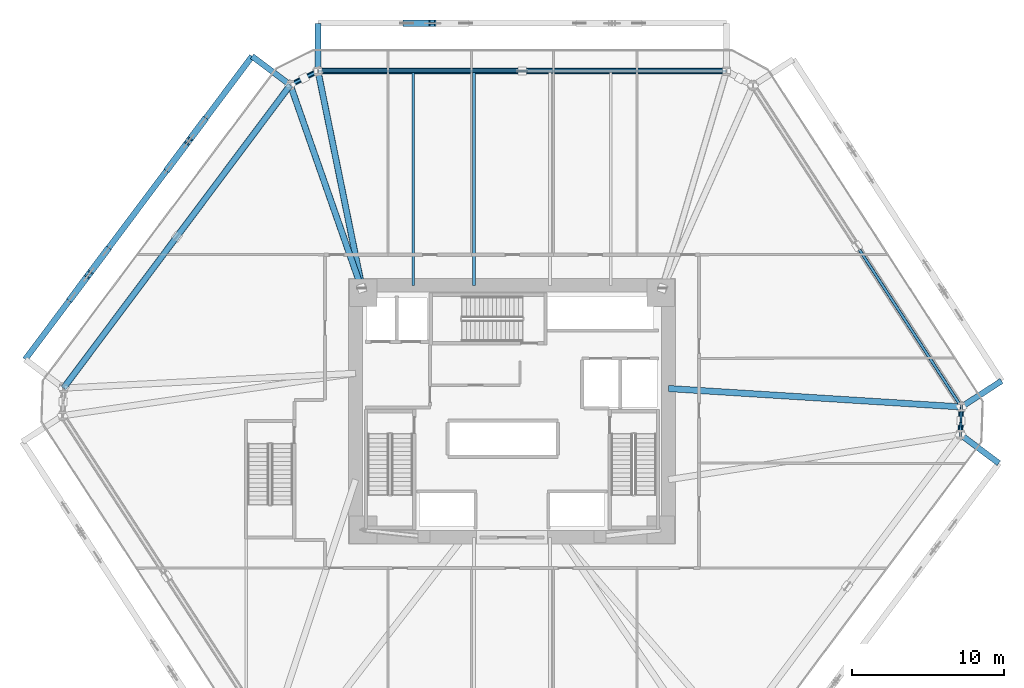
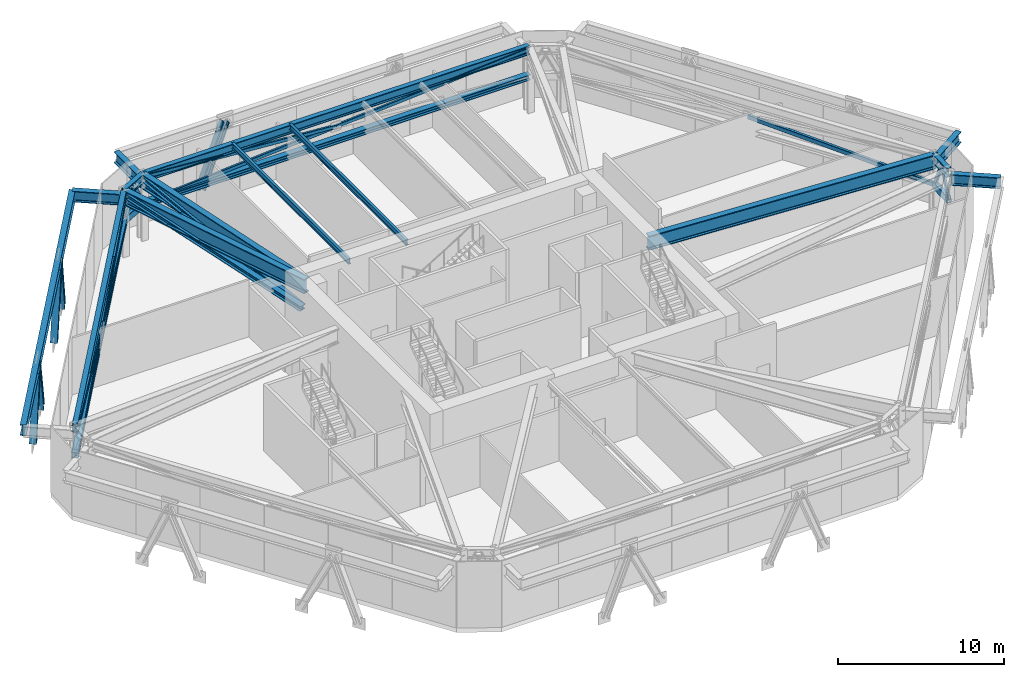
# One storey, part 3 of 16: 21 members, 14 beams.
"""IFC4 building model written with IfcOpenShell, lengths in metres."""

from ifc_helpers import new_model, si_unit, direction, frame, origin, origin_2d, place, context, subcontext, project, spatial, hollow_rectangle, i_section, extrude, source, transform, mapped, material, material_profile, profile_set, type_object, type_shapes, element, save


model = new_model("IFC4")

# Units and contexts
model_context = context("Model", 3, precision=1e-05, world=origin(), true_north=direction((0.0, 1.0)))
body_context = subcontext(model_context, "Body", "Model", "MODEL_VIEW")
ifc_project = project(units=[si_unit("LENGTHUNIT", "METRE"), si_unit("AREAUNIT", "SQUARE_METRE"), si_unit("VOLUMEUNIT", "CUBIC_METRE"), si_unit("PLANEANGLEUNIT", "RADIAN"), si_unit("MASSUNIT", "GRAM", prefix="KILO")], contexts=[model_context])

# Site, building, storey
site_placement = place(None, origin())
site = spatial("IfcSite", under=ifc_project, at=site_placement, CompositionType="ELEMENT")
building_placement = place(site_placement, origin())
building = spatial("IfcBuilding", under=site, at=building_placement, Name="Durnholm Broadcast Tower", CompositionType="ELEMENT")
storey_placement = place(building_placement, frame((0.0, 0.0, 10.39990234375)))
storey = spatial("IfcBuildingStorey", under=building, at=storey_placement, Name="L02", CompositionType="ELEMENT", Elevation=10.39990234375)

# Beams
ifc_material_1 = material(Name="Steel ASTM A992 Grade 50", Category="steel")
ifc_material_profile_1 = material_profile(ifc_material_1, i_section(OverallWidth=0.3330078125, OverallDepth=0.660888671875, WebThickness=0.0244140625, FlangeThickness=0.0439453125, FilletRadius=0.02783203125, at=origin_2d()), Name="W24X229")
ifc_profile_set_1 = profile_set([ifc_material_profile_1], Name="Steel ASTM A992 Grade 50")
beam_type_1 = type_object("IfcBeamType", Name="STL-SP-W24X229", PredefinedType="SPANDREL", material=ifc_profile_set_1)
shared_shape_1 = source(origin(), body_context, "Body", "SweptSolid", [
    extrude(i_section(OverallWidth=0.3330078125, OverallDepth=0.660888671875, WebThickness=0.0244140625, FlangeThickness=0.0439453125, FilletRadius=0.02783203125, at=origin_2d()), origin(), (0.0, 0.0, 1.0), 1.820068359375),
])
beam_1_placement = place(storey_placement, frame((29.590576171875, 0.28857421875, 4.53466796875), z_axis=(-0.033667655889, -0.999433083776, 0.0), x_axis=(0.999433083776, -0.033667655889, 0.0)))
element("IfcBeam", 1, at=beam_1_placement, inside=storey, type_object=beam_type_1, Name="L02 perimeter spandrel girder 08", PredefinedType="SPANDREL", context=body_context, shape_type="MappedRepresentation", body=[
    mapped(shared_shape_1, transform((0.0, 0.0, 0.0), x_axis=(1.0, 0.0, 0.0), y_axis=(0.0, 1.0, 0.0), z_axis=(0.0, 0.0, 1.0), scale=1.0)),
])
shared_shape_2 = source(origin(), body_context, "Body", "SweptSolid", [
    extrude(i_section(OverallWidth=0.3330078125, OverallDepth=0.660888671875, WebThickness=0.0244140625, FlangeThickness=0.0439453125, FilletRadius=0.02783203125, at=origin_2d()), origin(), (0.0, 0.0, 1.0), 24.926513671875),
])
beam_2_placement = place(storey_placement, frame((-29.529296875, 1.530517578125, 4.53466796875), z_axis=(0.599153427318, 0.800634230178, 0.0), x_axis=(-0.800634230178, 0.599153427318, 0.0)))
element("IfcBeam", 2, at=beam_2_placement, inside=storey, type_object=beam_type_1, Name="L02 perimeter spandrel girder 03", PredefinedType="SPANDREL", context=body_context, shape_type="MappedRepresentation", body=[
    mapped(shared_shape_2, transform((0.0, 0.0, 0.0), x_axis=(1.0, 0.0, 0.0), y_axis=(0.0, 1.0, 0.0), z_axis=(0.0, 0.0, 1.0), scale=1.0)),
])
shared_shape_3 = source(origin(), body_context, "Body", "SweptSolid", [
    extrude(i_section(OverallWidth=0.3330078125, OverallDepth=0.660888671875, WebThickness=0.0244140625, FlangeThickness=0.0439453125, FilletRadius=0.02783203125, at=origin_2d()), origin(), (0.0, 0.0, 1.0), 2.0380859375),
])
beam_3_placement = place(storey_placement, frame((-14.594482421875, 21.487548828125, 4.53466796875), z_axis=(0.894211470078, 0.447644777452, 0.0), x_axis=(-0.447644777452, 0.894211470078, 0.0)))
element("IfcBeam", 3, at=beam_3_placement, inside=storey, type_object=beam_type_1, Name="L02 perimeter spandrel girder 04", PredefinedType="SPANDREL", context=body_context, shape_type="MappedRepresentation", body=[
    mapped(shared_shape_3, transform((0.0, 0.0, 0.0), x_axis=(1.0, 0.0, 0.0), y_axis=(0.0, 1.0, 0.0), z_axis=(0.0, 0.0, 1.0), scale=1.0)),
])
shared_shape_4 = source(origin(), body_context, "Body", "SweptSolid", [
    extrude(i_section(OverallWidth=0.3330078125, OverallDepth=0.660888671875, WebThickness=0.0244140625, FlangeThickness=0.0439453125, FilletRadius=0.02783203125, at=origin_2d()), origin(), (0.0, 0.0, 1.0), 26.891357421875),
])
type_shapes(beam_type_1, [shared_shape_1, shared_shape_2, shared_shape_3, shared_shape_4])
beam_4_placement = place(storey_placement, frame((-12.77197265625, 22.39990234375, 4.53466796875), z_axis=(1.0, 0.0, 0.0), x_axis=(0.0, 1.0, 0.0)))
element("IfcBeam", 4, at=beam_4_placement, inside=storey, type_object=beam_type_1, Name="L02 perimeter spandrel girder 05", PredefinedType="SPANDREL", context=body_context, shape_type="MappedRepresentation", body=[
    mapped(shared_shape_4, transform((0.0, 0.0, 0.0), x_axis=(1.0, 0.0, 0.0), y_axis=(0.0, 1.0, 0.0), z_axis=(0.0, 0.0, 1.0), scale=1.0)),
])
ifc_material_profile_2 = material_profile(ifc_material_1, i_section(OverallWidth=0.412109375, OverallDepth=1.048095703125, WebThickness=0.033935546875, FlangeThickness=0.059814453125, FilletRadius=0.04052734375, at=origin_2d()), Name="W40X431")
ifc_profile_set_2 = profile_set([ifc_material_profile_2], Name="Steel ASTM A992 Grade 50")
beam_type_2 = type_object("IfcBeamType", Name="STL-TG-W40X431", PredefinedType="USERDEFINED", material=ifc_profile_set_2)
shared_shape_5 = source(origin(), body_context, "Body", "SweptSolid", [
    extrude(i_section(OverallWidth=0.412109375, OverallDepth=1.048095703125, WebThickness=0.033935546875, FlangeThickness=0.059814453125, FilletRadius=0.04052734375, at=origin_2d()), origin(), (0.0, 0.0, 1.0), 19.32861328125),
])
beam_5_placement = place(storey_placement, frame((10.300048828125, 1.5, 4.341064453125), z_axis=(0.998033956176, -0.062675532065, 0.0), x_axis=(0.062675532065, 0.998033956176, 0.0)))
element("IfcBeam", 5, at=beam_5_placement, inside=storey, type_object=beam_type_2, Name="L02 radial primary floor girder 08", ObjectType="GIRDER", PredefinedType="USERDEFINED", context=body_context, shape_type="MappedRepresentation", body=[
    mapped(shared_shape_5, transform((0.0, 0.0, 0.0), x_axis=(1.0, 0.0, 0.0), y_axis=(0.0, 1.0, 0.0), z_axis=(0.0, 0.0, 1.0), scale=1.0)),
])
shared_shape_6 = source(origin(), body_context, "Body", "SweptSolid", [
    extrude(i_section(OverallWidth=0.412109375, OverallDepth=1.048095703125, WebThickness=0.033935546875, FlangeThickness=0.059814453125, FilletRadius=0.04052734375, at=origin_2d()), origin(), (0.0, 0.0, 1.0), 14.5029296875),
])
beam_6_placement = place(storey_placement, frame((-9.800048828125, 7.800048828125, 4.341064453125), z_axis=(-0.330584364716, 0.943776444824, 0.0), x_axis=(-0.943776444824, -0.330584364716, 0.0)))
element("IfcBeam", 6, at=beam_6_placement, inside=storey, type_object=beam_type_2, Name="L02 radial primary floor girder 04", ObjectType="GIRDER", PredefinedType="USERDEFINED", context=body_context, shape_type="MappedRepresentation", body=[
    mapped(shared_shape_6, transform((0.0, 0.0, 0.0), x_axis=(1.0, 0.0, 0.0), y_axis=(0.0, 1.0, 0.0), z_axis=(0.0, 0.0, 1.0), scale=1.0)),
])
shared_shape_7 = source(origin(), body_context, "Body", "SweptSolid", [
    extrude(i_section(OverallWidth=0.412109375, OverallDepth=1.048095703125, WebThickness=0.033935546875, FlangeThickness=0.059814453125, FilletRadius=0.04052734375, at=origin_2d()), origin(), (0.0, 0.0, 1.0), 14.899169921875),
])
type_shapes(beam_type_2, [shared_shape_5, shared_shape_6, shared_shape_7])
beam_7_placement = place(storey_placement, frame((-9.800048828125, 7.800048828125, 4.341064453125), z_axis=(-0.19946783416, 0.979904374485, 0.0), x_axis=(-0.979904374485, -0.19946783416, 0.0)))
element("IfcBeam", 7, at=beam_7_placement, inside=storey, type_object=beam_type_2, Name="L02 radial primary floor girder 05", ObjectType="GIRDER", PredefinedType="USERDEFINED", context=body_context, shape_type="MappedRepresentation", body=[
    mapped(shared_shape_7, transform((0.0, 0.0, 0.0), x_axis=(1.0, 0.0, 0.0), y_axis=(0.0, 1.0, 0.0), z_axis=(0.0, 0.0, 1.0), scale=1.0)),
])
ifc_material_profile_3 = material_profile(ifc_material_1, i_section(OverallWidth=0.180908203125, OverallDepth=0.417236328125, WebThickness=0.010986328125, FlangeThickness=0.018310546875, FilletRadius=0.01904296875, at=origin_2d()), Name="W16X57")
ifc_profile_set_3 = profile_set([ifc_material_profile_3], Name="Steel ASTM A992 Grade 50")
beam_type_3 = type_object("IfcBeamType", Name="STL-BJ-W16X57", PredefinedType="JOIST", material=ifc_profile_set_3)
shared_shape_8 = source(origin(), body_context, "Body", "SweptSolid", [
    extrude(i_section(OverallWidth=0.180908203125, OverallDepth=0.417236328125, WebThickness=0.010986328125, FlangeThickness=0.018310546875, FilletRadius=0.01904296875, at=origin_2d()), origin(), (0.0, 0.0, 1.0), 14.099853515625),
])
type_shapes(beam_type_3, [shared_shape_8])
for number, where, z_axis, x_axis, name in (
    (8, (-6.5, 8.300048828125, 4.656494140625), (0.0, 1.0, 0.0), (-1.0, 0.0, 0.0), "L02 secondary floor joist 4.2"),
    (9, (-2.5, 8.300048828125, 4.656494140625), (0.0, 1.0, 0.0), (-1.0, 0.0, 0.0), "L02 secondary floor joist 5.2"),
):
    element("IfcBeam", number, at=place(storey_placement, frame(where, z_axis=z_axis, x_axis=x_axis)), inside=storey, type_object=beam_type_3, Name=name, PredefinedType="JOIST", context=body_context, shape_type="MappedRepresentation", body=[
        mapped(shared_shape_8, transform((0.0, 0.0, 0.0), x_axis=(1.0, 0.0, 0.0), y_axis=(0.0, 1.0, 0.0), z_axis=(0.0, 0.0, 1.0), scale=1.0)),
    ])

# Members
ifc_material_2 = material(Name="Steel ASTM A500 Grade C", Category="steel")
ifc_material_profile_4 = material_profile(ifc_material_2, hollow_rectangle(XDim=0.203125, YDim=0.3046875, WallThickness=0.01171875, InnerFilletRadius=0.017578125, OuterFilletRadius=0.029541015625, at=origin_2d()), Name="HSS12X8X1/2")
ifc_profile_set_4 = profile_set([ifc_material_profile_4], Name="Steel ASTM A500 Grade C")
member_type_1 = type_object("IfcMemberType", Name="STL-TB-HSS12X8", PredefinedType="BRACE", material=ifc_profile_set_4)
shared_shape_9 = source(origin(), body_context, "Body", "SweptSolid", [
    extrude(hollow_rectangle(XDim=0.203125, YDim=0.3046875, WallThickness=0.01171875, InnerFilletRadius=0.017578125, OuterFilletRadius=0.029541015625, at=origin_2d()), origin(), (0.0, 0.0, 1.0), 12.650146484375),
])
member_1_placement = place(storey_placement, frame((29.590576171875, 0.28857421875, 2.550048828125), z_axis=(-0.542448304828, 0.836436102439, 0.078259076959), x_axis=(-0.839009297505, -0.544117081794, 0.0)))
element("IfcMember", 10, at=member_1_placement, inside=storey, type_object=member_type_1, Name="L02 belt-truss split X-diagonal segment 07.1", PredefinedType="BRACE", context=body_context, shape_type="MappedRepresentation", body=[
    mapped(shared_shape_9, transform((0.0, 0.0, 0.0), x_axis=(1.0, 0.0, 0.0), y_axis=(0.0, 1.0, 0.0), z_axis=(0.0, 0.0, 1.0), scale=1.0)),
])
ifc_material_profile_5 = material_profile(ifc_material_2, hollow_rectangle(XDim=0.3046875, YDim=0.508056640625, WallThickness=0.014892578125, InnerFilletRadius=0.022216796875, OuterFilletRadius=0.037109375, at=origin_2d()), Name="HSS20X12X5/8")
ifc_profile_set_5 = profile_set([ifc_material_profile_5], Name="Steel ASTM A500 Grade C")
member_type_2 = type_object("IfcMemberType", Name="STL-TC-HSS20X12", PredefinedType="CHORD", material=ifc_profile_set_5)
shared_shape_10 = source(origin(), body_context, "Body", "SweptSolid", [
    extrude(hollow_rectangle(XDim=0.3046875, YDim=0.508056640625, WallThickness=0.014892578125, InnerFilletRadius=0.022216796875, OuterFilletRadius=0.037109375, at=origin_2d()), origin(), (0.0, 0.0, 1.0), 1.820068359375),
])
member_2_placement = place(storey_placement, frame((29.590576171875, 0.28857421875, 2.550048828125), z_axis=(-0.033667655889, -0.999433083776, 0.0), x_axis=(0.999433083776, -0.033667655889, 0.0)))
element("IfcMember", 11, at=member_2_placement, inside=storey, type_object=member_type_2, Name="L02 perimeter belt-truss bottom chord 08", PredefinedType="CHORD", context=body_context, shape_type="MappedRepresentation", body=[
    mapped(shared_shape_10, transform((0.0, 0.0, 0.0), x_axis=(1.0, 0.0, 0.0), y_axis=(0.0, 1.0, 0.0), z_axis=(0.0, 0.0, 1.0), scale=1.0)),
])
ifc_material_profile_6 = material_profile(ifc_material_2, hollow_rectangle(XDim=0.15234375, YDim=0.25390625, WallThickness=0.0087890625, InnerFilletRadius=0.013427734375, OuterFilletRadius=0.022216796875, at=origin_2d()), Name="HSS10X6X3/8")
ifc_profile_set_6 = profile_set([ifc_material_profile_6], Name="Steel ASTM A500 Grade C")
member_type_3 = type_object("IfcMemberType", Name="STL-TB-HSS10X6", PredefinedType="BRACE", material=ifc_profile_set_6)
shared_shape_11 = source(origin(), body_context, "Body", "SweptSolid", [
    extrude(hollow_rectangle(XDim=0.15234375, YDim=0.25390625, WallThickness=0.0087890625, InnerFilletRadius=0.013427734375, OuterFilletRadius=0.022216796875, at=origin_2d()), origin(), (0.0, 0.0, 1.0), 2.17919921875),
])
member_3_placement = place(storey_placement, frame((29.590576171875, 0.28857421875, 2.550048828125), z_axis=(-0.014004268257, -0.417439228203, 0.90859692451), x_axis=(0.999437739041, -0.033529178041, 0.0)))
element("IfcMember", 12, at=member_3_placement, inside=storey, type_object=member_type_3, Name="L02 belt-truss chevron brace 08.1", PredefinedType="BRACE", context=body_context, shape_type="MappedRepresentation", body=[
    mapped(shared_shape_11, transform((0.0, 0.0, 0.0), x_axis=(1.0, 0.0, 0.0), y_axis=(0.0, 1.0, 0.0), z_axis=(0.0, 0.0, 1.0), scale=1.0)),
])
shared_shape_12 = source(origin(), body_context, "Body", "SweptSolid", [
    extrude(hollow_rectangle(XDim=0.15234375, YDim=0.25390625, WallThickness=0.0087890625, InnerFilletRadius=0.013427734375, OuterFilletRadius=0.022216796875, at=origin_2d()), origin(), (0.0, 0.0, 1.0), 2.178955078125),
])
member_4_placement = place(storey_placement, frame((29.529296875, -1.530517578125, 2.550048828125), z_axis=(0.014116940305, 0.417346052656, 0.908637983098), x_axis=(-0.999428408111, 0.033806168972, 0.0)))
element("IfcMember", 13, at=member_4_placement, inside=storey, type_object=member_type_3, Name="L02 belt-truss chevron brace 08.2", PredefinedType="BRACE", context=body_context, shape_type="MappedRepresentation", body=[
    mapped(shared_shape_12, transform((0.0, 0.0, 0.0), x_axis=(1.0, 0.0, 0.0), y_axis=(0.0, 1.0, 0.0), z_axis=(0.0, 0.0, 1.0), scale=1.0)),
])
ifc_material_profile_7 = material_profile(ifc_material_1, i_section(OverallWidth=0.4013671875, OverallDepth=0.3994140625, WebThickness=0.02490234375, FlangeThickness=0.03955078125, FilletRadius=0.030517578125, at=origin_2d()), Name="W14X211")
ifc_profile_set_7 = profile_set([ifc_material_profile_7], Name="Steel ASTM A992 Grade 50")
member_type_4 = type_object("IfcMemberType", Name="STL-TC-W14X211", PredefinedType="CHORD", material=ifc_profile_set_7)
shared_shape_13 = source(origin(), body_context, "Body", "SweptSolid", [
    extrude(i_section(OverallWidth=0.4013671875, OverallDepth=0.3994140625, WebThickness=0.02490234375, FlangeThickness=0.03955078125, FilletRadius=0.030517578125, at=origin_2d()), origin(), (0.0, 0.0, 1.0), 24.926513671875),
])
member_5_placement = place(storey_placement, frame((-29.529296875, 1.530517578125, 2.550048828125), z_axis=(0.599153427318, 0.800634230178, 0.0), x_axis=(-0.800634230178, 0.599153427318, 0.0)))
element("IfcMember", 14, at=member_5_placement, inside=storey, type_object=member_type_4, Name="L02 perimeter belt-truss bottom chord 03", PredefinedType="CHORD", context=body_context, shape_type="MappedRepresentation", body=[
    mapped(shared_shape_13, transform((0.0, 0.0, 0.0), x_axis=(1.0, 0.0, 0.0), y_axis=(0.0, 1.0, 0.0), z_axis=(0.0, 0.0, 1.0), scale=1.0)),
])
ifc_material_3 = material(Name="Steel ASTM A913 Grade 65", Category="steel")
ifc_material_profile_8 = material_profile(ifc_material_3, i_section(OverallWidth=0.412109375, OverallDepth=0.434814453125, WebThickness=0.035888671875, FlangeThickness=0.057373046875, FilletRadius=0.030517578125, at=origin_2d()), Name="W14X311")
ifc_profile_set_8 = profile_set([ifc_material_profile_8], Name="Steel ASTM A913 Grade 65")
member_type_5 = type_object("IfcMemberType", Name="STL-DG-W14X311", PredefinedType="BRACE", material=ifc_profile_set_8)
shared_shape_14 = source(origin(), body_context, "Body", "SweptSolid", [
    extrude(i_section(OverallWidth=0.412109375, OverallDepth=0.434814453125, WebThickness=0.035888671875, FlangeThickness=0.057373046875, FilletRadius=0.030517578125, at=origin_2d()), origin(), (0.0, 0.0, 1.0), 25.005126953125),
])
member_6_placement = place(storey_placement, frame((-29.529296875, 1.530517578125, 2.550048828125), z_axis=(0.597272131605, 0.798120300229, 0.079183250573), x_axis=(-0.800634230178, 0.599153427318, 0.0)))
element("IfcMember", 15, at=member_6_placement, inside=storey, type_object=member_type_5, Name="L02 belt-truss continuous X-diagonal brace 03", PredefinedType="BRACE", context=body_context, shape_type="MappedRepresentation", body=[
    mapped(shared_shape_14, transform((0.0, 0.0, 0.0), x_axis=(1.0, 0.0, 0.0), y_axis=(0.0, 1.0, 0.0), z_axis=(0.0, 0.0, 1.0), scale=1.0)),
])
shared_shape_15 = source(origin(), body_context, "Body", "SweptSolid", [
    extrude(i_section(OverallWidth=0.412109375, OverallDepth=0.434814453125, WebThickness=0.035888671875, FlangeThickness=0.057373046875, FilletRadius=0.030517578125, at=origin_2d()), origin(), (0.0, 0.0, 1.0), 12.502685546875),
])
member_7_placement = place(storey_placement, frame((-14.594482421875, 21.487548828125, 2.550048828125), z_axis=(-0.597278412178, -0.798115645945, 0.079182788812), x_axis=(0.800629531776, -0.599159705628, 0.0)))
element("IfcMember", 16, at=member_7_placement, inside=storey, type_object=member_type_5, Name="L02 belt-truss split X-diagonal segment 03.1", PredefinedType="BRACE", context=body_context, shape_type="MappedRepresentation", body=[
    mapped(shared_shape_15, transform((0.0, 0.0, 0.0), x_axis=(1.0, 0.0, 0.0), y_axis=(0.0, 1.0, 0.0), z_axis=(0.0, 0.0, 1.0), scale=1.0)),
])
shared_shape_16 = source(origin(), body_context, "Body", "SweptSolid", [
    extrude(i_section(OverallWidth=0.412109375, OverallDepth=0.434814453125, WebThickness=0.035888671875, FlangeThickness=0.057373046875, FilletRadius=0.030517578125, at=origin_2d()), origin(), (0.0, 0.0, 1.0), 12.50244140625),
])
type_shapes(member_type_5, [shared_shape_14, shared_shape_15, shared_shape_16])
member_8_placement = place(storey_placement, frame((-22.06201171875, 11.509033203125, 3.5400390625), z_axis=(-0.597265850922, -0.798124954518, 0.079183712335), x_axis=(0.800638928586, -0.599147148898, 0.0)))
element("IfcMember", 17, at=member_8_placement, inside=storey, type_object=member_type_5, Name="L02 belt-truss split X-diagonal segment 03.2", PredefinedType="BRACE", context=body_context, shape_type="MappedRepresentation", body=[
    mapped(shared_shape_16, transform((0.0, 0.0, 0.0), x_axis=(1.0, 0.0, 0.0), y_axis=(0.0, 1.0, 0.0), z_axis=(0.0, 0.0, 1.0), scale=1.0)),
])
shared_shape_17 = source(origin(), body_context, "Body", "SweptSolid", [
    extrude(hollow_rectangle(XDim=0.3046875, YDim=0.508056640625, WallThickness=0.014892578125, InnerFilletRadius=0.022216796875, OuterFilletRadius=0.037109375, at=origin_2d()), origin(), (0.0, 0.0, 1.0), 2.0380859375),
])
type_shapes(member_type_2, [shared_shape_10, shared_shape_17])
member_9_placement = place(storey_placement, frame((-14.594482421875, 21.487548828125, 2.550048828125), z_axis=(0.894211470078, 0.447644777452, 0.0), x_axis=(-0.447644777452, 0.894211470078, 0.0)))
element("IfcMember", 18, at=member_9_placement, inside=storey, type_object=member_type_2, Name="L02 perimeter belt-truss bottom chord 04", PredefinedType="CHORD", context=body_context, shape_type="MappedRepresentation", body=[
    mapped(shared_shape_17, transform((0.0, 0.0, 0.0), x_axis=(1.0, 0.0, 0.0), y_axis=(0.0, 1.0, 0.0), z_axis=(0.0, 0.0, 1.0), scale=1.0)),
])
shared_shape_18 = source(origin(), body_context, "Body", "SweptSolid", [
    extrude(hollow_rectangle(XDim=0.203125, YDim=0.3046875, WallThickness=0.01171875, InnerFilletRadius=0.017578125, OuterFilletRadius=0.029541015625, at=origin_2d()), origin(), (0.0, 0.0, 1.0), 2.226806640625),
])
type_shapes(member_type_1, [shared_shape_9, shared_shape_18])
for number, where, z_axis, x_axis, name in (
    (19, (-14.594482421875, 21.487548828125, 2.550048828125), (0.409255845553, 0.204902002501, 0.889114628297), (-0.447692603156, 0.894187526797, 0.0), "L02 belt-truss chevron brace 04.1"),
    (20, (-12.77197265625, 22.39990234375, 2.550048828125), (-0.409173759867, -0.204806158476, 0.889174488886), (0.44759693509, -0.894235418499, 0.0), "L02 belt-truss chevron brace 04.2"),
):
    element("IfcMember", number, at=place(storey_placement, frame(where, z_axis=z_axis, x_axis=x_axis)), inside=storey, type_object=member_type_1, Name=name, PredefinedType="BRACE", context=body_context, shape_type="MappedRepresentation", body=[
        mapped(shared_shape_18, transform((0.0, 0.0, 0.0), x_axis=(1.0, 0.0, 0.0), y_axis=(0.0, 1.0, 0.0), z_axis=(0.0, 0.0, 1.0), scale=1.0)),
    ])
shared_shape_19 = source(origin(), body_context, "Body", "SweptSolid", [
    extrude(i_section(OverallWidth=0.4013671875, OverallDepth=0.3994140625, WebThickness=0.02490234375, FlangeThickness=0.03955078125, FilletRadius=0.030517578125, at=origin_2d()), origin(), (0.0, 0.0, 1.0), 26.891357421875),
])
type_shapes(member_type_4, [shared_shape_13, shared_shape_19])
member_10_placement = place(storey_placement, frame((-12.77197265625, 22.39990234375, 2.550048828125), z_axis=(1.0, 0.0, 0.0), x_axis=(0.0, 1.0, 0.0)))
element("IfcMember", 21, at=member_10_placement, inside=storey, type_object=member_type_4, Name="L02 perimeter belt-truss bottom chord 05", PredefinedType="CHORD", context=body_context, shape_type="MappedRepresentation", body=[
    mapped(shared_shape_19, transform((0.0, 0.0, 0.0), x_axis=(1.0, 0.0, 0.0), y_axis=(0.0, 1.0, 0.0), z_axis=(0.0, 0.0, 1.0), scale=1.0)),
])
shared_shape_20 = source(origin(), body_context, "Body", "SweptSolid", [
    extrude(hollow_rectangle(XDim=0.15234375, YDim=0.25390625, WallThickness=0.0087890625, InnerFilletRadius=0.013427734375, OuterFilletRadius=0.022216796875, at=origin_2d()), origin(), (0.0, 0.0, 1.0), 26.964111328125),
])
member_11_placement = place(storey_placement, frame((-12.77197265625, 22.39990234375, 2.550048828125), z_axis=(0.9973003657, 0.0, 0.073430106729), x_axis=(0.0, 1.0, 0.0)))
element("IfcMember", 22, at=member_11_placement, inside=storey, type_object=member_type_3, Name="L02 belt-truss continuous X-diagonal brace 05", PredefinedType="BRACE", context=body_context, shape_type="MappedRepresentation", body=[
    mapped(shared_shape_20, transform((0.0, 0.0, 0.0), x_axis=(1.0, 0.0, 0.0), y_axis=(0.0, 1.0, 0.0), z_axis=(0.0, 0.0, 1.0), scale=1.0)),
])
shared_shape_21 = source(origin(), body_context, "Body", "SweptSolid", [
    extrude(hollow_rectangle(XDim=0.15234375, YDim=0.25390625, WallThickness=0.0087890625, InnerFilletRadius=0.013427734375, OuterFilletRadius=0.022216796875, at=origin_2d()), origin(), (0.0, 0.0, 1.0), 13.48193359375),
])
type_shapes(member_type_3, [shared_shape_11, shared_shape_12, shared_shape_20, shared_shape_21])
member_12_placement = place(storey_placement, frame((0.673583984375, 22.39990234375, 3.5400390625), z_axis=(-0.997300316879, 0.0, 0.073430769795), x_axis=(0.0, -1.0, 0.0)))
element("IfcMember", 23, at=member_12_placement, inside=storey, type_object=member_type_3, Name="L02 belt-truss split X-diagonal segment 05.2", PredefinedType="BRACE", context=body_context, shape_type="MappedRepresentation", body=[
    mapped(shared_shape_21, transform((0.0, 0.0, 0.0), x_axis=(1.0, 0.0, 0.0), y_axis=(0.0, 1.0, 0.0), z_axis=(0.0, 0.0, 1.0), scale=1.0)),
])
ifc_material_profile_9 = material_profile(ifc_material_1, i_section(OverallWidth=0.3974609375, OverallDepth=0.38671875, WebThickness=0.02099609375, FlangeThickness=0.033203125, FilletRadius=0.030517578125, at=origin_2d()), Name="W14X176")
ifc_profile_set_9 = profile_set([ifc_material_profile_9], Name="Steel ASTM A992 Grade 50")
member_type_6 = type_object("IfcMemberType", Name="STL-OS-W14X176", PredefinedType="STRUT", material=ifc_profile_set_9)
shared_shape_22 = source(origin(), body_context, "Body", "SweptSolid", [
    extrude(i_section(OverallWidth=0.3974609375, OverallDepth=0.38671875, WebThickness=0.02099609375, FlangeThickness=0.033203125, FilletRadius=0.030517578125, at=origin_2d()), origin(), (0.0, 0.0, 1.0), 14.320556640625),
])
type_shapes(member_type_6, [shared_shape_22])
member_13_placement = place(storey_placement, frame((-9.90576171875, 8.10205078125, 2.550048828125), z_axis=(-0.327413787045, 0.93471052863, 0.138262213639), x_axis=(-0.943774864776, -0.330588875518, 0.0)))
element("IfcMember", 24, at=member_13_placement, inside=storey, type_object=member_type_6, Name="L02 radial core-to-perimeter outrigger strut 04", PredefinedType="STRUT", context=body_context, shape_type="MappedRepresentation", body=[
    mapped(shared_shape_22, transform((0.0, 0.0, 0.0), x_axis=(1.0, 0.0, 0.0), y_axis=(0.0, 1.0, 0.0), z_axis=(0.0, 0.0, 1.0), scale=1.0)),
])
ifc_material_profile_10 = material_profile(ifc_material_1, i_section(OverallWidth=0.393798828125, OverallDepth=0.37548828125, WebThickness=0.017333984375, FlangeThickness=0.027587890625, FilletRadius=0.030517578125, at=origin_2d()), Name="W14X145")
ifc_profile_set_10 = profile_set([ifc_material_profile_10], Name="Steel ASTM A992 Grade 50")
member_type_7 = type_object("IfcMemberType", Name="STL-OS-W14X145", PredefinedType="STRUT", material=ifc_profile_set_10)
shared_shape_23 = source(origin(), body_context, "Body", "SweptSolid", [
    extrude(i_section(OverallWidth=0.393798828125, OverallDepth=0.37548828125, WebThickness=0.017333984375, FlangeThickness=0.027587890625, FilletRadius=0.030517578125, at=origin_2d()), origin(), (0.0, 0.0, 1.0), 14.713134765625),
])
type_shapes(member_type_7, [shared_shape_23])
member_14_placement = place(storey_placement, frame((-9.86376953125, 8.113525390625, 2.550048828125), z_axis=(-0.197659329197, 0.970989839374, 0.134571621876), x_axis=(-0.979903166455, -0.199473768628, 0.0)))
element("IfcMember", 25, at=member_14_placement, inside=storey, type_object=member_type_7, Name="L02 radial core-to-perimeter outrigger strut 05", PredefinedType="STRUT", context=body_context, shape_type="MappedRepresentation", body=[
    mapped(shared_shape_23, transform((0.0, 0.0, 0.0), x_axis=(1.0, 0.0, 0.0), y_axis=(0.0, 1.0, 0.0), z_axis=(0.0, 0.0, 1.0), scale=1.0)),
])

# Beams
ifc_material_profile_11 = material_profile(ifc_material_1, i_section(OverallWidth=0.385009765625, OverallDepth=0.802978515625, WebThickness=0.023681640625, FlangeThickness=0.0419921875, FilletRadius=0.032958984375, at=origin_2d()), Name="W30X261")
ifc_profile_set_11 = profile_set([ifc_material_profile_11], Name="Steel ASTM A992 Grade 50")
beam_type_4 = type_object("IfcBeamType", Name="BM-EXO-TIE", PredefinedType="USERDEFINED", material=ifc_profile_set_11)
shared_shape_24 = source(origin(), body_context, "Body", "SweptSolid", [
    extrude(i_section(OverallWidth=0.385009765625, OverallDepth=0.802978515625, WebThickness=0.023681640625, FlangeThickness=0.0419921875, FilletRadius=0.032958984375, at=origin_2d()), origin(), (0.0, 0.0, 1.0), 3.024169921875),
])
for number, where, z_axis, x_axis, name in (
    (26, (29.63037109375, -1.60595703125, 4.128662109375), (0.800609912919, -0.599185920509, 0.0), (0.599185920509, 0.800609912919, 0.0), "L02 exoskeleton stand-off tie bracket F2.2"),
    (27, (-12.77197265625, 22.52587890625, 4.128662109375), (0.0, 1.0, 0.0), (-1.0, 0.0, 0.0), "L02 exoskeleton stand-off tie bracket F4.2"),
    (28, (-14.6953125, 21.56298828125, 4.128662109375), (-0.800609912919, 0.599185920509, 0.0), (-0.599185920509, -0.800609912919, 0.0), "L02 exoskeleton stand-off tie bracket F5.1"),
):
    element("IfcBeam", number, at=place(storey_placement, frame(where, z_axis=z_axis, x_axis=x_axis)), inside=storey, type_object=beam_type_4, Name=name, ObjectType="GIRDER", PredefinedType="USERDEFINED", context=body_context, shape_type="MappedRepresentation", body=[
        mapped(shared_shape_24, transform((0.0, 0.0, 0.0), x_axis=(1.0, 0.0, 0.0), y_axis=(0.0, 1.0, 0.0), z_axis=(0.0, 0.0, 1.0), scale=1.0)),
    ])

# Member
ifc_material_profile_12 = material_profile(ifc_material_3, i_section(OverallWidth=0.43212890625, OverallDepth=0.497802734375, WebThickness=0.0556640625, FlangeThickness=0.0888671875, FilletRadius=0.030517578125, at=origin_2d()), Name="W14X500")
ifc_profile_set_12 = profile_set([ifc_material_profile_12], Name="Steel ASTM A913 Grade 65")
member_type_8 = type_object("IfcMemberType", Name="STL-DG-W14X500", PredefinedType="BRACE", material=ifc_profile_set_12)
shared_shape_25 = source(origin(), body_context, "Body", "SweptSolid", [
    extrude(i_section(OverallWidth=0.43212890625, OverallDepth=0.497802734375, WebThickness=0.0556640625, FlangeThickness=0.0888671875, FilletRadius=0.030517578125, at=origin_2d()), origin(), (0.0, 0.0, 1.0), 4.785888671875),
])
member_15_placement = place(storey_placement, frame((-6.9296875, 25.550048828125, -0.349853515625), z_axis=(0.352554204303, 0.0, 0.93579139397), x_axis=(0.0, 1.0, 0.0)))
element("IfcMember", 29, at=member_15_placement, inside=storey, type_object=member_type_8, Name="L02 stand-off diagrid brace F4.D2.2", PredefinedType="BRACE", context=body_context, shape_type="MappedRepresentation", body=[
    mapped(shared_shape_25, transform((0.0, 0.0, 0.0), x_axis=(1.0, 0.0, 0.0), y_axis=(0.0, 1.0, 0.0), z_axis=(0.0, 0.0, 1.0), scale=1.0)),
])

# Beam
shared_shape_26 = source(origin(), body_context, "Body", "SweptSolid", [
    extrude(i_section(OverallWidth=0.385009765625, OverallDepth=0.802978515625, WebThickness=0.023681640625, FlangeThickness=0.0419921875, FilletRadius=0.032958984375, at=origin_2d()), origin(), (0.0, 0.0, 1.0), 24.9267578125),
])
beam_8_placement = place(storey_placement, frame((-17.116455078125, 23.375, 4.128662109375), z_axis=(-0.599159705628, -0.800629531776, 0.0), x_axis=(0.800629531776, -0.599159705628, 0.0)))
element("IfcBeam", 30, at=beam_8_placement, inside=storey, type_object=beam_type_4, Name="L02 exoskeleton collector spandrel F5", PredefinedType="SPANDREL", context=body_context, shape_type="MappedRepresentation", body=[
    mapped(shared_shape_26, transform((0.0, 0.0, 0.0), x_axis=(1.0, 0.0, 0.0), y_axis=(0.0, 1.0, 0.0), z_axis=(0.0, 0.0, 1.0), scale=1.0)),
])

# Members
shared_shape_27 = source(origin(), body_context, "Body", "SweptSolid", [
    extrude(i_section(OverallWidth=0.43212890625, OverallDepth=0.497802734375, WebThickness=0.0556640625, FlangeThickness=0.0888671875, FilletRadius=0.030517578125, at=origin_2d()), origin(), (0.0, 0.0, 1.0), 4.779541015625),
])
member_16_placement = place(storey_placement, frame((-20.2978515625, 19.123779296875, -0.349853515625), z_axis=(-0.209274978969, -0.279663292618, 0.937012500418), x_axis=(0.800648824869, -0.59913392429, 0.0)))
element("IfcMember", 31, at=member_16_placement, inside=storey, type_object=member_type_8, Name="L02 stand-off diagrid brace F5.D1.1", PredefinedType="BRACE", context=body_context, shape_type="MappedRepresentation", body=[
    mapped(shared_shape_27, transform((0.0, 0.0, 0.0), x_axis=(1.0, 0.0, 0.0), y_axis=(0.0, 1.0, 0.0), z_axis=(0.0, 0.0, 1.0), scale=1.0)),
])
shared_shape_28 = source(origin(), body_context, "Body", "SweptSolid", [
    extrude(i_section(OverallWidth=0.43212890625, OverallDepth=0.497802734375, WebThickness=0.0556640625, FlangeThickness=0.0888671875, FilletRadius=0.030517578125, at=origin_2d()), origin(), (0.0, 0.0, 1.0), 4.998046875),
])
member_17_placement = place(storey_placement, frame((-22.62744140625, 16.0107421875, -0.349853515625), z_axis=(0.265976922553, 0.355417463451, 0.896066238256), x_axis=(-0.800633370052, 0.599154576682, 0.0)))
element("IfcMember", 32, at=member_17_placement, inside=storey, type_object=member_type_8, Name="L02 stand-off diagrid brace F5.D1.2", PredefinedType="BRACE", context=body_context, shape_type="MappedRepresentation", body=[
    mapped(shared_shape_28, transform((0.0, 0.0, 0.0), x_axis=(1.0, 0.0, 0.0), y_axis=(0.0, 1.0, 0.0), z_axis=(0.0, 0.0, 1.0), scale=1.0)),
])
shared_shape_29 = source(origin(), body_context, "Body", "SweptSolid", [
    extrude(i_section(OverallWidth=0.43212890625, OverallDepth=0.497802734375, WebThickness=0.0556640625, FlangeThickness=0.0888671875, FilletRadius=0.030517578125, at=origin_2d()), origin(), (0.0, 0.0, 1.0), 4.893798828125),
])
member_18_placement = place(storey_placement, frame((-26.6875, 10.585693359375, -0.349853515625), z_axis=(-0.241550751979, -0.322815967793, 0.915119164457), x_axis=(0.800667655005, -0.599108759934, 0.0)))
element("IfcMember", 33, at=member_18_placement, inside=storey, type_object=member_type_8, Name="L02 stand-off diagrid brace F5.D2.1", PredefinedType="BRACE", context=body_context, shape_type="MappedRepresentation", body=[
    mapped(shared_shape_29, transform((0.0, 0.0, 0.0), x_axis=(1.0, 0.0, 0.0), y_axis=(0.0, 1.0, 0.0), z_axis=(0.0, 0.0, 1.0), scale=1.0)),
])
shared_shape_30 = source(origin(), body_context, "Body", "SweptSolid", [
    extrude(i_section(OverallWidth=0.43212890625, OverallDepth=0.497802734375, WebThickness=0.0556640625, FlangeThickness=0.0888671875, FilletRadius=0.030517578125, at=origin_2d()), origin(), (0.0, 0.0, 1.0), 4.870849609375),
])
type_shapes(member_type_8, [shared_shape_25, shared_shape_27, shared_shape_28, shared_shape_29, shared_shape_30])
member_19_placement = place(storey_placement, frame((-29.01708984375, 7.472412109375, -0.349853515625), z_axis=(0.235576898908, 0.314820957882, 0.919451624165), x_axis=(-0.800657279439, 0.599122625914, 0.0)))
element("IfcMember", 34, at=member_19_placement, inside=storey, type_object=member_type_8, Name="L02 stand-off diagrid brace F5.D2.2", PredefinedType="BRACE", context=body_context, shape_type="MappedRepresentation", body=[
    mapped(shared_shape_30, transform((0.0, 0.0, 0.0), x_axis=(1.0, 0.0, 0.0), y_axis=(0.0, 1.0, 0.0), z_axis=(0.0, 0.0, 1.0), scale=1.0)),
])

# Beam
shared_shape_31 = source(origin(), body_context, "Body", "SweptSolid", [
    extrude(i_section(OverallWidth=0.385009765625, OverallDepth=0.802978515625, WebThickness=0.023681640625, FlangeThickness=0.0419921875, FilletRadius=0.032958984375, at=origin_2d()), origin(), (0.0, 0.0, 1.0), 3.02392578125),
])
type_shapes(beam_type_4, [shared_shape_24, shared_shape_26, shared_shape_31])
beam_9_placement = place(storey_placement, frame((29.6962890625, 0.357177734375, 4.128662109375), z_axis=(0.838989179675, 0.544148101521, 0.0), x_axis=(-0.544148101521, 0.838989179675, 0.0)))
element("IfcBeam", 35, at=beam_9_placement, inside=storey, type_object=beam_type_4, Name="L02 exoskeleton stand-off tie bracket F3.1", ObjectType="GIRDER", PredefinedType="USERDEFINED", context=body_context, shape_type="MappedRepresentation", body=[
    mapped(shared_shape_31, transform((0.0, 0.0, 0.0), x_axis=(1.0, 0.0, 0.0), y_axis=(0.0, 1.0, 0.0), z_axis=(0.0, 0.0, 1.0), scale=1.0)),
])

save(model, "model.ifc")
